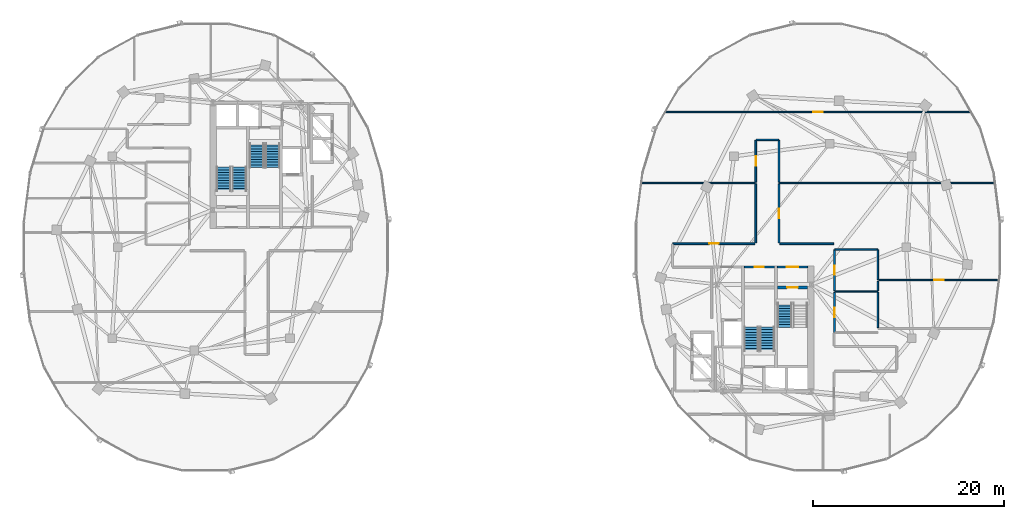
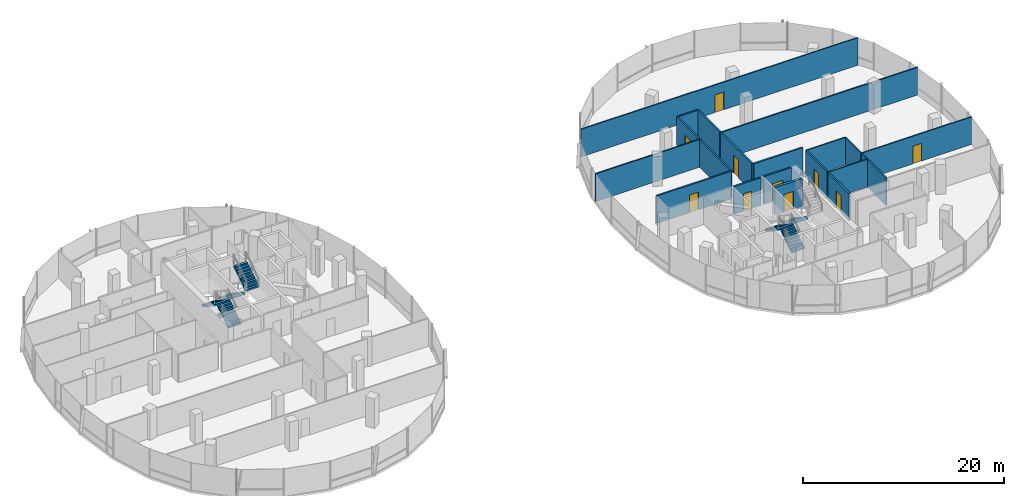
# One storey, part 15 of 23: 21 walls, 10 doors, 7 stair flights, 10 openings, 4 elements without a shape of their own.
"""IFC4 building model written with IfcOpenShell, lengths in metres."""

from ifc_helpers import new_model, si_unit, direction, frame, frame_2d, origin, place, context, subcontext, project, spatial, polyline, rectangle, outline, extrude, material, layer, layer_set, type_object, element, fill, aggregate, save


model = new_model("IFC4")

# Units and contexts
model_context = context("Model", 3, precision=1e-05, world=origin(), true_north=direction((0.0, 1.0)))
body_context = subcontext(model_context, "Body", "Model", "MODEL_VIEW")
ifc_project = project(units=[si_unit("LENGTHUNIT", "METRE"), si_unit("AREAUNIT", "SQUARE_METRE"), si_unit("VOLUMEUNIT", "CUBIC_METRE"), si_unit("PLANEANGLEUNIT", "RADIAN"), si_unit("MASSUNIT", "GRAM", prefix="KILO"), si_unit("THERMODYNAMICTEMPERATUREUNIT", "KELVIN"), si_unit("POWERUNIT", "WATT")], contexts=[model_context])

# Site, building, storey
site_placement = place(None, origin())
site = spatial("IfcSite", under=ifc_project, at=site_placement, CompositionType="ELEMENT")
building_placement = place(site_placement, origin())
building = spatial("IfcBuilding", under=site, at=building_placement, Name="Cundina Bronze Exchange", CompositionType="ELEMENT")
storey_placement = place(building_placement, frame((0.0, 0.0, 176.39990234375)))
storey = spatial("IfcBuildingStorey", under=building, at=storey_placement, Name="L46", CompositionType="ELEMENT", Elevation=176.39990234375)

# Wall, opening, door
ifc_material_1 = material(Name="Gypsum Fireboard Partition EI120")
ifc_layer_1 = layer(ifc_material_1, 0.179931640625, Name="Gypsum Fireboard Partition EI120")
ifc_layer_set_1 = layer_set([ifc_layer_1], Name="Gypsum Fireboard Partition EI120")
wall_type_1 = type_object("IfcWallType", Name="WL-COR-180", PredefinedType="PARTITIONING", material=ifc_layer_set_1)
wall_1_placement = place(storey_placement, frame((27.739990234375, -2.06005859375, 0.0), z_axis=(0.0, 0.0, 1.0), x_axis=(1.0, 0.0, 0.0)))
wall_1 = element("IfcWall", 1, at=wall_1_placement, inside=storey, type_object=wall_type_1, Name="L46 E Stair Vestibule Exit Wall", PredefinedType="PARTITIONING", context=body_context, shape_type="SweptSolid", body=[
    extrude(rectangle(XDim=3.159912109375, YDim=0.179931640625, at=frame_2d((1.580078125, 0.0))), origin(), (0.0, 0.0, 1.0), 3.360107421875),
])
opening_1_placement = place(wall_1_placement, frame((0.97998046875, 0.0, 0.0)))
opening_1 = element("IfcOpeningElement", 2, at=opening_1_placement, cuts=wall_1, Name="Opening DF-01", PredefinedType="OPENING", context=body_context, shape_type="SweptSolid", body=[
    extrude(rectangle(XDim=1.199951171875, YDim=2.14990234375, at=frame_2d((0.60009765625, 1.074951171875))), frame((0.0, 0.099853515625, 0.0), z_axis=(0.0, -1.0, 0.0), x_axis=(1.0, 0.0, 0.0)), (0.0, 0.0, 1.0), 0.199951171875),
])
ifc_material_2 = material(Name="Steel ASTM A36 Painted", Category="steel")
door_type_1 = type_object("IfcDoorType", Name="DR-FFL-1200", OperationType="NOTDEFINED", PredefinedType="DOOR", material=ifc_material_2)
door_1_placement = place(opening_1_placement, origin())
door_1 = element("IfcDoor", 3, at=door_1_placement, inside=storey, type_object=door_type_1, Name="L46 E Stair Vestibule Door", OperationType="SINGLE_SWING_RIGHT", OverallHeight=2.14990234375, OverallWidth=1.199951171875, PredefinedType="DOOR", context=body_context, shape_type="SweptSolid", body=[
    extrude(rectangle(XDim=1.199951171875, YDim=2.14990234375, at=frame_2d((0.60009765625, 1.074951171875))), frame((0.0, 0.02490234375, 0.0), z_axis=(0.0, -1.0, 0.0), x_axis=(1.0, 0.0, 0.0)), (0.0, 0.0, 1.0), 0.050048828125),
])
fill(opening_1, door_1)

wall_2_placement = place(storey_placement, frame((24.300048828125, -2.070068359375, 0.0), z_axis=(0.0, 0.0, 1.0), x_axis=(1.0, 0.0, 0.0)))
wall_2 = element("IfcWall", 4, at=wall_2_placement, inside=storey, type_object=wall_type_1, Name="L46 Interior Partition 051", PredefinedType="PARTITIONING", context=body_context, shape_type="SweptSolid", body=[
    extrude(rectangle(XDim=3.119873046875, YDim=0.179931640625, at=frame_2d((1.56005859375, 0.0))), origin(), (0.0, 0.0, 1.0), 3.360107421875),
])
opening_2_placement = place(wall_2_placement, frame((1.0849609375, 0.0, 0.0)))
opening_2 = element("IfcOpeningElement", 5, at=opening_2_placement, cuts=wall_2, Name="Opening DW-01", PredefinedType="OPENING", context=body_context, shape_type="SweptSolid", body=[
    extrude(rectangle(XDim=0.949951171875, YDim=2.10009765625, at=frame_2d((0.47509765625, 1.050048828125))), frame((0.0, 0.099853515625, 0.0), z_axis=(0.0, -1.0, 0.0), x_axis=(1.0, 0.0, 0.0)), (0.0, 0.0, 1.0), 0.199951171875),
])
ifc_material_3 = material(Name="Solid Andean Oak Timber Grade A", Category="wood")
door_type_2 = type_object("IfcDoorType", Name="DR-WC-950", OperationType="NOTDEFINED", PredefinedType="DOOR", material=ifc_material_3)
door_2_placement = place(opening_2_placement, origin())
door_2 = element("IfcDoor", 6, at=door_2_placement, inside=storey, type_object=door_type_2, Name="L46 Interior Door 051", OperationType="SINGLE_SWING_RIGHT", OverallHeight=2.10009765625, OverallWidth=0.949951171875, PredefinedType="DOOR", context=body_context, shape_type="SweptSolid", body=[
    extrude(rectangle(XDim=0.949951171875, YDim=2.10009765625, at=frame_2d((0.47509765625, 1.050048828125))), frame((0.0, 0.02490234375, 0.0), z_axis=(0.0, -1.0, 0.0), x_axis=(1.0, 0.0, 0.0)), (0.0, 0.0, 1.0), 0.050048828125),
])
fill(opening_2, door_2)

wall_3_placement = place(storey_placement, frame((33.719970703125, -4.530029296875, 0.0), z_axis=(0.0, 0.0, 1.0), x_axis=(0.0, 1.0, 0.0)))
wall_3 = element("IfcWall", 7, at=wall_3_placement, inside=storey, type_object=wall_type_1, Name="L46 Interior Partition 059", PredefinedType="PARTITIONING", context=body_context, shape_type="SweptSolid", body=[
    extrude(rectangle(XDim=4.260009765625, YDim=0.179931640625, at=frame_2d((2.1298828125, 0.0))), origin(), (0.0, 0.0, 1.0), 3.360107421875),
])
opening_3_placement = place(wall_3_placement, frame((1.655029296875, 0.0, 0.0)))
opening_3 = element("IfcOpeningElement", 8, at=opening_3_placement, cuts=wall_3, Name="Opening DW-01", PredefinedType="OPENING", context=body_context, shape_type="SweptSolid", body=[
    extrude(rectangle(XDim=0.949951171875, YDim=2.10009765625, at=frame_2d((0.47509765625, 1.050048828125))), frame((0.0, 0.099853515625, 0.0), z_axis=(0.0, -1.0, 0.0), x_axis=(1.0, 0.0, 0.0)), (0.0, 0.0, 1.0), 0.199951171875),
])
door_3_placement = place(opening_3_placement, origin())
door_3 = element("IfcDoor", 9, at=door_3_placement, inside=storey, type_object=door_type_2, Name="L46 Interior Door 059", OperationType="SINGLE_SWING_RIGHT", OverallHeight=2.10009765625, OverallWidth=0.949951171875, PredefinedType="DOOR", context=body_context, shape_type="SweptSolid", body=[
    extrude(rectangle(XDim=0.949951171875, YDim=2.10009765625, at=frame_2d((0.47509765625, 1.050048828125))), frame((0.0, 0.02490234375, 0.0), z_axis=(0.0, -1.0, 0.0), x_axis=(1.0, 0.0, 0.0)), (0.0, 0.0, 1.0), 0.050048828125),
])
fill(opening_3, door_3)

wall_4_placement = place(storey_placement, frame((33.719970703125, -8.889892578125, 0.0), z_axis=(0.0, 0.0, 1.0), x_axis=(0.0, 1.0, 0.0)))
wall_4 = element("IfcWall", 10, at=wall_4_placement, inside=storey, type_object=wall_type_1, Name="L46 Interior Partition 060", PredefinedType="PARTITIONING", context=body_context, shape_type="SweptSolid", body=[
    extrude(rectangle(XDim=4.159912109375, YDim=0.179931640625, at=frame_2d((2.080078125, 0.0))), origin(), (0.0, 0.0, 1.0), 3.360107421875),
])
opening_4_placement = place(wall_4_placement, frame((1.580078125, 0.0, 0.0)))
opening_4 = element("IfcOpeningElement", 11, at=opening_4_placement, cuts=wall_4, Name="Opening DO-01", PredefinedType="OPENING", context=body_context, shape_type="SweptSolid", body=[
    extrude(rectangle(XDim=1.0, YDim=2.14990234375, at=frame_2d((0.5, 1.074951171875))), frame((0.0, 0.099853515625, 0.0), z_axis=(0.0, -1.0, 0.0), x_axis=(1.0, 0.0, 0.0)), (0.0, 0.0, 1.0), 0.199951171875),
])
door_type_3 = type_object("IfcDoorType", Name="DR-OFF-1000", OperationType="NOTDEFINED", PredefinedType="DOOR", material=ifc_material_3)
door_4_placement = place(opening_4_placement, origin())
door_4 = element("IfcDoor", 12, at=door_4_placement, inside=storey, type_object=door_type_3, Name="L46 Interior Door 060", OperationType="SINGLE_SWING_RIGHT", OverallHeight=2.14990234375, OverallWidth=1.0, PredefinedType="DOOR", context=body_context, shape_type="SweptSolid", body=[
    extrude(rectangle(XDim=1.0, YDim=2.14990234375, at=frame_2d((0.5, 1.074951171875))), frame((0.0, 0.02490234375, 0.0), z_axis=(0.0, -1.0, 0.0), x_axis=(1.0, 0.0, 0.0)), (0.0, 0.0, 1.0), 0.050048828125),
])
fill(opening_4, door_4)

wall_5_placement = place(storey_placement, frame((25.39990234375, 0.3701171875, 0.0), z_axis=(0.0, 0.0, 1.0), x_axis=(-1.0, 0.0, 0.0)))
wall_5 = element("IfcWall", 13, at=wall_5_placement, inside=storey, type_object=wall_type_1, Name="L46 Interior Partition 075", PredefinedType="PARTITIONING", context=body_context, shape_type="SweptSolid", body=[
    extrude(rectangle(XDim=8.578369140625, YDim=0.179931640625, at=frame_2d((4.2890625, 0.0))), origin(), (0.0, 0.0, 1.0), 3.360107421875),
])
opening_5_placement = place(wall_5_placement, frame((3.789306640625, 0.0, 0.0)))
opening_5 = element("IfcOpeningElement", 14, at=opening_5_placement, cuts=wall_5, Name="Opening DO-01", PredefinedType="OPENING", context=body_context, shape_type="SweptSolid", body=[
    extrude(rectangle(XDim=1.0, YDim=2.14990234375, at=frame_2d((0.5, 1.074951171875))), frame((0.0, 0.099853515625, 0.0), z_axis=(0.0, -1.0, 0.0), x_axis=(1.0, 0.0, 0.0)), (0.0, 0.0, 1.0), 0.199951171875),
])
door_5_placement = place(opening_5_placement, origin())
door_5 = element("IfcDoor", 15, at=door_5_placement, inside=storey, type_object=door_type_3, Name="L46 Interior Door 075", OperationType="SINGLE_SWING_RIGHT", OverallHeight=2.14990234375, OverallWidth=1.0, PredefinedType="DOOR", context=body_context, shape_type="SweptSolid", body=[
    extrude(rectangle(XDim=1.0, YDim=2.14990234375, at=frame_2d((0.5, 1.074951171875))), frame((0.0, 0.02490234375, 0.0), z_axis=(0.0, -1.0, 0.0), x_axis=(1.0, 0.0, 0.0)), (0.0, 0.0, 1.0), 0.050048828125),
])
fill(opening_5, door_5)

# Wall
wall_6_placement = place(storey_placement, frame((25.47998046875, 6.6201171875, 0.0), z_axis=(0.0, 0.0, 1.0), x_axis=(0.0, -1.0, 0.0)))
element("IfcWall", 16, at=wall_6_placement, inside=storey, type_object=wall_type_1, Name="L46 Interior Partition 076", PredefinedType="PARTITIONING", context=body_context, shape_type="SweptSolid", body=[
    extrude(rectangle(XDim=6.170166015625, YDim=0.179931640625, at=frame_2d((3.0849609375, 0.0))), origin(), (0.0, 0.0, 1.0), 3.360107421875),
])

# Wall, opening, door
wall_7_placement = place(storey_placement, frame((27.919921875, 0.449951171875, 0.0), z_axis=(0.0, 0.0, 1.0), x_axis=(0.0, 1.0, 0.0)))
wall_7 = element("IfcWall", 17, at=wall_7_placement, inside=storey, type_object=wall_type_1, Name="L46 Interior Partition 080", PredefinedType="PARTITIONING", context=body_context, shape_type="SweptSolid", body=[
    extrude(rectangle(XDim=6.170166015625, YDim=0.179931640625, at=frame_2d((3.0849609375, 0.0))), origin(), (0.0, 0.0, 1.0), 3.360107421875),
])
opening_6_placement = place(wall_7_placement, frame((2.5849609375, 0.0, 0.0)))
opening_6 = element("IfcOpeningElement", 18, at=opening_6_placement, cuts=wall_7, Name="Opening DO-01", PredefinedType="OPENING", context=body_context, shape_type="SweptSolid", body=[
    extrude(rectangle(XDim=1.0, YDim=2.14990234375, at=frame_2d((0.5, 1.074951171875))), frame((0.0, 0.099853515625, 0.0), z_axis=(0.0, -1.0, 0.0), x_axis=(1.0, 0.0, 0.0)), (0.0, 0.0, 1.0), 0.199951171875),
])
door_6_placement = place(opening_6_placement, origin())
door_6 = element("IfcDoor", 19, at=door_6_placement, inside=storey, type_object=door_type_3, Name="L46 Interior Door 080", OperationType="SINGLE_SWING_LEFT", OverallHeight=2.14990234375, OverallWidth=1.0, PredefinedType="DOOR", context=body_context, shape_type="SweptSolid", body=[
    extrude(rectangle(XDim=1.0, YDim=2.14990234375, at=frame_2d((0.5, 1.074951171875))), frame((0.0, 0.02490234375, 0.0), z_axis=(0.0, -1.0, 0.0), x_axis=(1.0, 0.0, 0.0)), (0.0, 0.0, 1.0), 0.050048828125),
])
fill(opening_6, door_6)

# Wall
wall_8_placement = place(storey_placement, frame((33.62841796875, 0.3701171875, 0.0), z_axis=(0.0, 0.0, 1.0), x_axis=(-1.0, 0.0, 0.0)))
element("IfcWall", 20, at=wall_8_placement, inside=storey, type_object=wall_type_1, Name="L46 Interior Partition 081", PredefinedType="PARTITIONING", context=body_context, shape_type="SweptSolid", body=[
    extrude(rectangle(XDim=5.62841796875, YDim=0.179931640625, at=frame_2d((2.814208984375, 0.0))), origin(), (0.0, 0.0, 1.0), 3.360107421875),
])

# Wall, opening, door
wall_9_placement = place(storey_placement, frame((25.47998046875, 11.178466796875, 0.0), z_axis=(0.0, 0.0, 1.0), x_axis=(0.0, -1.0, 0.0)))
wall_9 = element("IfcWall", 21, at=wall_9_placement, inside=storey, type_object=wall_type_1, Name="L46 Interior Partition 082", PredefinedType="PARTITIONING", context=body_context, shape_type="SweptSolid", body=[
    extrude(rectangle(XDim=4.37841796875, YDim=0.179931640625, at=frame_2d((2.189208984375, 0.0))), origin(), (0.0, 0.0, 1.0), 3.360107421875),
])
opening_7_placement = place(wall_9_placement, frame((1.689208984375, 0.0, 0.0)))
opening_7 = element("IfcOpeningElement", 22, at=opening_7_placement, cuts=wall_9, Name="Opening DO-01", PredefinedType="OPENING", context=body_context, shape_type="SweptSolid", body=[
    extrude(rectangle(XDim=1.0, YDim=2.14990234375, at=frame_2d((0.5, 1.074951171875))), frame((0.0, 0.099853515625, 0.0), z_axis=(0.0, -1.0, 0.0), x_axis=(1.0, 0.0, 0.0)), (0.0, 0.0, 1.0), 0.199951171875),
])
door_7_placement = place(opening_7_placement, origin())
door_7 = element("IfcDoor", 23, at=door_7_placement, inside=storey, type_object=door_type_3, Name="L46 Interior Door 082", OperationType="SINGLE_SWING_LEFT", OverallHeight=2.14990234375, OverallWidth=1.0, PredefinedType="DOOR", context=body_context, shape_type="SweptSolid", body=[
    extrude(rectangle(XDim=1.0, YDim=2.14990234375, at=frame_2d((0.5, 1.074951171875))), frame((0.0, 0.02490234375, 0.0), z_axis=(0.0, -1.0, 0.0), x_axis=(1.0, 0.0, 0.0)), (0.0, 0.0, 1.0), 0.050048828125),
])
fill(opening_7, door_7)

# Walls
wall_10_placement = place(storey_placement, frame((27.919921875, 6.800048828125, 0.0), z_axis=(0.0, 0.0, 1.0), x_axis=(0.0, 1.0, 0.0)))
element("IfcWall", 24, at=wall_10_placement, inside=storey, type_object=wall_type_1, Name="L46 Interior Partition 083", PredefinedType="PARTITIONING", context=body_context, shape_type="SweptSolid", body=[
    extrude(rectangle(XDim=4.37841796875, YDim=0.179931640625, at=frame_2d((2.189208984375, 0.0))), origin(), (0.0, 0.0, 1.0), 3.360107421875),
])
wall_11_placement = place(storey_placement, frame((27.87841796875, 11.219970703125, 0.0), z_axis=(0.0, 0.0, 1.0), x_axis=(-1.0, 0.0, 0.0)))
element("IfcWall", 25, at=wall_11_placement, inside=storey, type_object=wall_type_1, Name="L46 Interior Partition 084", PredefinedType="PARTITIONING", context=body_context, shape_type="SweptSolid", body=[
    extrude(rectangle(XDim=2.35693359375, YDim=0.179931640625, at=frame_2d((1.178466796875, 0.0))), origin(), (0.0, 0.0, 1.0), 3.360107421875),
])

# Wall, opening, door
ifc_material_4 = material(Name="Gypsum Acoustic Partition EI60")
ifc_layer_2 = layer(ifc_material_4, 0.125, Name="Gypsum Acoustic Partition EI60")
ifc_layer_set_2 = layer_set([ifc_layer_2], Name="Gypsum Acoustic Partition EI60")
wall_type_2 = type_object("IfcWallType", Name="WL-OFF-125", PredefinedType="PARTITIONING", material=ifc_layer_set_2)
wall_12_placement = place(storey_placement, frame((38.320068359375, -3.429931640625, 0.0), z_axis=(0.0, 0.0, 1.0), x_axis=(1.0, 0.0, 0.0)))
wall_12 = element("IfcWall", 26, at=wall_12_placement, inside=storey, type_object=wall_type_2, Name="L46 Interior Partition 085", PredefinedType="PARTITIONING", context=body_context, shape_type="SweptSolid", body=[
    extrude(rectangle(XDim=12.58544921875, YDim=0.125, at=frame_2d((6.292724609375, 0.0))), origin(), (0.0, 0.0, 1.0), 3.360107421875),
])
opening_8_placement = place(wall_12_placement, frame((5.792724609375, 0.0, 0.0)))
opening_8 = element("IfcOpeningElement", 27, at=opening_8_placement, cuts=wall_12, Name="Opening DO-01", PredefinedType="OPENING", context=body_context, shape_type="SweptSolid", body=[
    extrude(rectangle(XDim=1.0, YDim=2.14990234375, at=frame_2d((0.5, 1.074951171875))), frame((0.0, 0.072509765625, 0.0), z_axis=(0.0, -1.0, 0.0), x_axis=(1.0, 0.0, 0.0)), (0.0, 0.0, 1.0), 0.14501953125),
])
door_8_placement = place(opening_8_placement, origin())
door_8 = element("IfcDoor", 28, at=door_8_placement, inside=storey, type_object=door_type_3, Name="L46 Interior Door 085", OperationType="SINGLE_SWING_LEFT", OverallHeight=2.14990234375, OverallWidth=1.0, PredefinedType="DOOR", context=body_context, shape_type="SweptSolid", body=[
    extrude(rectangle(XDim=1.0, YDim=2.14990234375, at=frame_2d((0.5, 1.074951171875))), frame((0.0, 0.02490234375, 0.0), z_axis=(0.0, -1.0, 0.0), x_axis=(1.0, 0.0, 0.0)), (0.0, 0.0, 1.0), 0.050048828125),
])
fill(opening_8, door_8)

wall_13_placement = place(storey_placement, frame((47.929931640625, 14.139892578125, 0.0), z_axis=(0.0, 0.0, 1.0), x_axis=(-1.0, 0.0, 0.0)))
wall_13 = element("IfcWall", 29, at=wall_13_placement, inside=storey, type_object=wall_type_2, Name="L46 Interior Partition 086", PredefinedType="PARTITIONING", context=body_context, shape_type="SweptSolid", body=[
    extrude(rectangle(XDim=31.85986328125, YDim=0.125, at=frame_2d((15.929931640625, 0.0))), origin(), (0.0, 0.0, 1.0), 3.360107421875),
])
opening_9_placement = place(wall_13_placement, frame((15.429931640625, 0.0, 0.0)))
opening_9 = element("IfcOpeningElement", 30, at=opening_9_placement, cuts=wall_13, Name="Opening DO-01", PredefinedType="OPENING", context=body_context, shape_type="SweptSolid", body=[
    extrude(rectangle(XDim=1.0, YDim=2.14990234375, at=frame_2d((0.5, 1.074951171875))), frame((0.0, 0.072509765625, 0.0), z_axis=(0.0, -1.0, 0.0), x_axis=(1.0, 0.0, 0.0)), (0.0, 0.0, 1.0), 0.14501953125),
])
door_9_placement = place(opening_9_placement, origin())
door_9 = element("IfcDoor", 31, at=door_9_placement, inside=storey, type_object=door_type_3, Name="L46 Interior Door 086", OperationType="SINGLE_SWING_LEFT", OverallHeight=2.14990234375, OverallWidth=1.0, PredefinedType="DOOR", context=body_context, shape_type="SweptSolid", body=[
    extrude(rectangle(XDim=1.0, YDim=2.14990234375, at=frame_2d((0.5, 1.074951171875))), frame((0.0, 0.02490234375, 0.0), z_axis=(0.0, -1.0, 0.0), x_axis=(1.0, 0.0, 0.0)), (0.0, 0.0, 1.0), 0.050048828125),
])
fill(opening_9, door_9)

ifc_material_5 = material(Name="Concrete C50/60", Category="concrete")
ifc_layer_3 = layer(ifc_material_5, 0.300048828125, Name="Concrete C50/60", Category="concrete")
ifc_layer_set_3 = layer_set([ifc_layer_3], Name="Concrete C50/60")
wall_type_3 = type_object("IfcWallType", Name="WL-SHFT-300", PredefinedType="SHEAR", material=ifc_layer_set_3)
wall_14_placement = place(storey_placement, frame((27.739990234375, -4.199951171875, 0.0), z_axis=(0.0, 0.0, 1.0), x_axis=(1.0, 0.0, 0.0)))
wall_14 = element("IfcWall", 32, at=wall_14_placement, inside=storey, type_object=wall_type_3, Name="L46 Stair E1 Landing Wall", PredefinedType="SHEAR", context=body_context, shape_type="SweptSolid", body=[
    extrude(rectangle(XDim=3.159912109375, YDim=0.300048828125, at=frame_2d((1.580078125, 0.0))), origin(), (0.0, 0.0, 1.0), 3.360107421875),
])
opening_10_placement = place(wall_14_placement, frame((1.030029296875, 0.0, 0.0)))
opening_10 = element("IfcOpeningElement", 33, at=opening_10_placement, cuts=wall_14, Name="Opening DS-01", PredefinedType="OPENING", context=body_context, shape_type="SweptSolid", body=[
    extrude(rectangle(XDim=1.10009765625, YDim=2.14990234375, at=frame_2d((0.550048828125, 1.074951171875))), frame((0.0, 0.159912109375, 0.0), z_axis=(0.0, -1.0, 0.0), x_axis=(1.0, 0.0, 0.0)), (0.0, 0.0, 1.0), 0.320068359375),
])
door_type_4 = type_object("IfcDoorType", Name="DR-STR-1100", OperationType="NOTDEFINED", PredefinedType="DOOR", material=ifc_material_2)
door_10_placement = place(opening_10_placement, origin())
door_10 = element("IfcDoor", 34, at=door_10_placement, inside=storey, type_object=door_type_4, Name="L46 Smokeproof Stair E1 Door", OperationType="SINGLE_SWING_LEFT", OverallHeight=2.14990234375, OverallWidth=1.10009765625, PredefinedType="DOOR", context=body_context, shape_type="SweptSolid", body=[
    extrude(rectangle(XDim=1.10009765625, YDim=2.14990234375, at=frame_2d((0.550048828125, 1.074951171875))), frame((0.0, 0.02490234375, 0.0), z_axis=(0.0, -1.0, 0.0), x_axis=(1.0, 0.0, 0.0)), (0.0, 0.0, 1.0), 0.050048828125),
])
fill(opening_10, door_10)

# Walls
ifc_layer_4 = layer(ifc_material_4, 0.14990234375, Name="Gypsum Acoustic Partition EI60")
ifc_layer_set_4 = layer_set([ifc_layer_4], Name="Gypsum Acoustic Partition EI60")
wall_type_4 = type_object("IfcWallType", Name="WL-TEN-150", PredefinedType="PARTITIONING", material=ifc_layer_set_4)
wall_15_placement = place(storey_placement, frame((13.447021484375, 6.7099609375, 0.0), z_axis=(0.0, 0.0, 1.0), x_axis=(1.0, 0.0, 0.0)))
element("IfcWall", 35, at=wall_15_placement, inside=storey, type_object=wall_type_4, Name="L46 Interior Partition 061", PredefinedType="PARTITIONING", context=body_context, shape_type="SweptSolid", body=[
    extrude(rectangle(XDim=12.0029296875, YDim=0.14990234375, at=frame_2d((6.00146484375, 0.0))), origin(), (0.0, 0.0, 1.0), 3.360107421875),
])
wall_16_placement = place(storey_placement, frame((27.949951171875, 6.7099609375, 0.0), z_axis=(0.0, 0.0, 1.0), x_axis=(1.0, 0.0, 0.0)))
element("IfcWall", 36, at=wall_16_placement, inside=storey, type_object=wall_type_4, Name="L46 Interior Partition 062", PredefinedType="PARTITIONING", context=body_context, shape_type="SweptSolid", body=[
    extrude(rectangle(XDim=22.60302734375, YDim=0.14990234375, at=frame_2d((11.301513671875, 0.0))), origin(), (0.0, 0.0, 1.0), 3.360107421875),
])
ifc_material_6 = material(Name="Moisture-Resistant Masonry Block Grade M15", Category="masonry")
ifc_layer_5 = layer(ifc_material_6, 0.139892578125, Name="Moisture-Resistant Masonry Block Grade M15", Category="masonry")
ifc_layer_set_5 = layer_set([ifc_layer_5], Name="Moisture-Resistant Masonry Block Grade M15")
wall_type_5 = type_object("IfcWallType", Name="WL-WET-140", PredefinedType="PARTITIONING", material=ifc_layer_set_5)
wall_17_placement = place(storey_placement, frame((38.239990234375, -8.39501953125, 0.0), z_axis=(0.0, 0.0, 1.0), x_axis=(0.0, 1.0, 0.0)))
element("IfcWall", 37, at=wall_17_placement, inside=storey, type_object=wall_type_5, Name="L46 Interior Partition 053", PredefinedType="PARTITIONING", context=body_context, shape_type="SweptSolid", body=[
    extrude(rectangle(XDim=3.679931640625, YDim=0.139892578125, at=frame_2d((1.83984375, 0.0))), origin(), (0.0, 0.0, 1.0), 3.360107421875),
])
wall_18_placement = place(storey_placement, frame((38.239990234375, -4.544921875, 0.0), z_axis=(0.0, 0.0, 1.0), x_axis=(0.0, 1.0, 0.0)))
element("IfcWall", 38, at=wall_18_placement, inside=storey, type_object=wall_type_5, Name="L46 Interior Partition 054", PredefinedType="PARTITIONING", context=body_context, shape_type="SweptSolid", body=[
    extrude(rectangle(XDim=0.97998046875, YDim=0.139892578125, at=frame_2d((0.489990234375, 0.0))), origin(), (0.0, 0.0, 1.0), 3.360107421875),
])
wall_19_placement = place(storey_placement, frame((38.239990234375, -3.39501953125, 0.0), z_axis=(0.0, 0.0, 1.0), x_axis=(0.0, 1.0, 0.0)))
element("IfcWall", 39, at=wall_19_placement, inside=storey, type_object=wall_type_5, Name="L46 Interior Partition 055", PredefinedType="PARTITIONING", context=body_context, shape_type="SweptSolid", body=[
    extrude(rectangle(XDim=3.125, YDim=0.139892578125, at=frame_2d((1.5625, 0.0))), origin(), (0.0, 0.0, 1.0), 3.360107421875),
])
for number, where, z_axis, x_axis, name in (
    (40, (33.739990234375, -0.25, 0.0), (0.0, 0.0, 1.0), (1.0, 0.0, 0.0), "L46 Interior Partition 056"),
    (41, (33.739990234375, -4.6298828125, 0.0), (0.0, 0.0, 1.0), (1.0, 0.0, 0.0), "L46 Interior Partition 057"),
):
    element("IfcWall", number, at=place(storey_placement, frame(where, z_axis=z_axis, x_axis=x_axis)), inside=storey, type_object=wall_type_5, Name=name, PredefinedType="PARTITIONING", context=body_context, shape_type="SweptSolid", body=[
        extrude(rectangle(XDim=4.47998046875, YDim=0.139892578125, at=frame_2d((2.239990234375, 0.0))), origin(), (0.0, 0.0, 1.0), 3.360107421875),
    ])

# Stair, stair flights
ifc_material_7 = material(Name="Concrete C40/50", Category="concrete")
stair_type = type_object("IfcStairType", Name="STR-OFF-360", PredefinedType="HALF_TURN_STAIR", material=ifc_material_7)
stair_1_placement = place(storey_placement, origin())
stair_1 = element("IfcStair", 42, at=stair_1_placement, inside=storey, type_object=stair_type, Name="L46 Smokeproof Exit Stair W1", PredefinedType="HALF_TURN_STAIR")
stair_flight_type = type_object("IfcStairFlightType", Name="FLG-OFF-180", PredefinedType="STRAIGHT", material=ifc_material_7)
stair_flight_1_placement = place(storey_placement, frame((-28.489990234375, 5.85009765625, 0.0), z_axis=(0.0, 0.0, 1.0), x_axis=(0.0, 1.0, 0.0)))
stair_flight_1 = element("IfcStairFlight", 43, at=stair_flight_1_placement, type_object=stair_flight_type, Name="ST-W1 flight 1", NumberOfRisers=10, NumberOfTreads=9, PredefinedType="STRAIGHT", RiserHeight=0.18, TreadLength=0.28, context=body_context, shape_type="SweptSolid", body=[
    extrude(outline(polyline([(0.0, 0.0), (0.0, 0.179931640625), (0.280029296875, 0.179931640625), (0.280029296875, 0.360107421875), (0.56005859375, 0.360107421875), (0.56005859375, 0.5400390625), (0.840087890625, 0.5400390625), (0.840087890625, 0.719970703125), (1.1201171875, 0.719970703125), (1.1201171875, 0.89990234375), (1.39990234375, 0.89990234375), (1.39990234375, 1.080078125), (1.679931640625, 1.080078125), (1.679931640625, 1.260009765625), (1.9599609375, 1.260009765625), (1.9599609375, 1.43994140625), (2.239990234375, 1.43994140625), (2.239990234375, 1.6201171875), (2.52001953125, 1.6201171875), (2.52001953125, 1.800048828125), (2.52001953125, 1.44189453125), (0.277099609375, 0.0), (0.0, 0.0)])), frame((0.0, 0.75, 0.0), z_axis=(0.0, -1.0, 0.0), x_axis=(1.0, 0.0, 0.0)), (0.0, 0.0, 1.0), 1.5),
])
stair_flight_2_placement = place(storey_placement, frame((-30.14990234375, 8.3701171875, 1.800048828125), z_axis=(0.0, 0.0, 1.0), x_axis=(0.0, -1.0, 0.0)))
stair_flight_2 = element("IfcStairFlight", 44, at=stair_flight_2_placement, type_object=stair_flight_type, Name="ST-W1 flight 2", NumberOfRisers=10, NumberOfTreads=9, PredefinedType="STRAIGHT", RiserHeight=0.18, TreadLength=0.28, context=body_context, shape_type="SweptSolid", body=[
    extrude(outline(polyline([(0.0, 0.0), (0.0, 0.179931640625), (0.280029296875, 0.179931640625), (0.280029296875, 0.360107421875), (0.56005859375, 0.360107421875), (0.56005859375, 0.5400390625), (0.840087890625, 0.5400390625), (0.840087890625, 0.719970703125), (1.1201171875, 0.719970703125), (1.1201171875, 0.89990234375), (1.39990234375, 0.89990234375), (1.39990234375, 1.080078125), (1.679931640625, 1.080078125), (1.679931640625, 1.260009765625), (1.9599609375, 1.260009765625), (1.9599609375, 1.43994140625), (2.239990234375, 1.43994140625), (2.239990234375, 1.6201171875), (2.52001953125, 1.6201171875), (2.52001953125, 1.800048828125), (2.52001953125, 1.44189453125), (0.277099609375, 0.0), (0.0, 0.0)])), frame((0.0, 0.75, 0.0), z_axis=(0.0, -1.0, 0.0), x_axis=(1.0, 0.0, 0.0)), (0.0, 0.0, 1.0), 1.5),
])
aggregate(stair_1, [stair_flight_1, stair_flight_2])

stair_2_placement = place(storey_placement, origin())
stair_2 = element("IfcStair", 45, at=stair_2_placement, inside=storey, type_object=stair_type, Name="L46 Smokeproof Exit Stair W2", PredefinedType="HALF_TURN_STAIR")
stair_flight_3_placement = place(storey_placement, frame((-26.68994140625, 10.85009765625, 0.0), z_axis=(0.0, 0.0, 1.0), x_axis=(0.0, -1.0, 0.0)))
stair_flight_3 = element("IfcStairFlight", 46, at=stair_flight_3_placement, type_object=stair_flight_type, Name="ST-W2 flight 1", NumberOfRisers=10, NumberOfTreads=9, PredefinedType="STRAIGHT", RiserHeight=0.18, TreadLength=0.28, context=body_context, shape_type="SweptSolid", body=[
    extrude(outline(polyline([(0.0, 0.0), (0.0, 0.179931640625), (0.280029296875, 0.179931640625), (0.280029296875, 0.360107421875), (0.56005859375, 0.360107421875), (0.56005859375, 0.5400390625), (0.840087890625, 0.5400390625), (0.840087890625, 0.719970703125), (1.1201171875, 0.719970703125), (1.1201171875, 0.89990234375), (1.39990234375, 0.89990234375), (1.39990234375, 1.080078125), (1.679931640625, 1.080078125), (1.679931640625, 1.260009765625), (1.9599609375, 1.260009765625), (1.9599609375, 1.43994140625), (2.239990234375, 1.43994140625), (2.239990234375, 1.6201171875), (2.52001953125, 1.6201171875), (2.52001953125, 1.800048828125), (2.52001953125, 1.44189453125), (0.277099609375, 0.0), (0.0, 0.0)])), frame((0.0, 0.75, 0.0), z_axis=(0.0, -1.0, 0.0), x_axis=(1.0, 0.0, 0.0)), (0.0, 0.0, 1.0), 1.5),
])
stair_flight_4_placement = place(storey_placement, frame((-25.030029296875, 8.330078125, 1.800048828125), z_axis=(0.0, 0.0, 1.0), x_axis=(0.0, 1.0, 0.0)))
stair_flight_4 = element("IfcStairFlight", 47, at=stair_flight_4_placement, type_object=stair_flight_type, Name="ST-W2 flight 2", NumberOfRisers=10, NumberOfTreads=9, PredefinedType="STRAIGHT", RiserHeight=0.18, TreadLength=0.28, context=body_context, shape_type="SweptSolid", body=[
    extrude(outline(polyline([(0.0, 0.0), (0.0, 0.179931640625), (0.280029296875, 0.179931640625), (0.280029296875, 0.360107421875), (0.56005859375, 0.360107421875), (0.56005859375, 0.5400390625), (0.840087890625, 0.5400390625), (0.840087890625, 0.719970703125), (1.1201171875, 0.719970703125), (1.1201171875, 0.89990234375), (1.39990234375, 0.89990234375), (1.39990234375, 1.080078125), (1.679931640625, 1.080078125), (1.679931640625, 1.260009765625), (1.9599609375, 1.260009765625), (1.9599609375, 1.43994140625), (2.239990234375, 1.43994140625), (2.239990234375, 1.6201171875), (2.52001953125, 1.6201171875), (2.52001953125, 1.800048828125), (2.52001953125, 1.44189453125), (0.277099609375, 0.0), (0.0, 0.0)])), frame((0.0, 0.75, 0.0), z_axis=(0.0, -1.0, 0.0), x_axis=(1.0, 0.0, 0.0)), (0.0, 0.0, 1.0), 1.5),
])
aggregate(stair_2, [stair_flight_3, stair_flight_4])

# Stair, stair flight
stair_3_placement = place(storey_placement, origin())
stair_3 = element("IfcStair", 48, at=stair_3_placement, inside=storey, type_object=stair_type, Name="L46 Smokeproof Exit Stair E1", PredefinedType="HALF_TURN_STAIR")
stair_flight_5_placement = place(storey_placement, frame((28.489990234375, -5.85009765625, 0.0), z_axis=(0.0, 0.0, 1.0), x_axis=(0.0, -1.0, 0.0)))
stair_flight_5 = element("IfcStairFlight", 49, at=stair_flight_5_placement, type_object=stair_flight_type, Name="ST-E1 flight 1", NumberOfRisers=10, NumberOfTreads=9, PredefinedType="STRAIGHT", RiserHeight=0.18, TreadLength=0.28, context=body_context, shape_type="SweptSolid", body=[
    extrude(outline(polyline([(0.0, 0.0), (0.0, 0.179931640625), (0.280029296875, 0.179931640625), (0.280029296875, 0.360107421875), (0.56005859375, 0.360107421875), (0.56005859375, 0.5400390625), (0.840087890625, 0.5400390625), (0.840087890625, 0.719970703125), (1.1201171875, 0.719970703125), (1.1201171875, 0.89990234375), (1.39990234375, 0.89990234375), (1.39990234375, 1.080078125), (1.679931640625, 1.080078125), (1.679931640625, 1.260009765625), (1.9599609375, 1.260009765625), (1.9599609375, 1.43994140625), (2.239990234375, 1.43994140625), (2.239990234375, 1.6201171875), (2.52001953125, 1.6201171875), (2.52001953125, 1.800048828125), (2.52001953125, 1.44189453125), (0.277099609375, 0.0), (0.0, 0.0)])), frame((0.0, 0.75, 0.0), z_axis=(0.0, -1.0, 0.0), x_axis=(1.0, 0.0, 0.0)), (0.0, 0.0, 1.0), 1.5),
])
aggregate(stair_3, [stair_flight_5])

# Stair, stair flights
stair_4_placement = place(storey_placement, origin())
stair_4 = element("IfcStair", 50, at=stair_4_placement, inside=storey, type_object=stair_type, Name="L46 Smokeproof Exit Stair E2", PredefinedType="HALF_TURN_STAIR")
stair_flight_6_placement = place(storey_placement, frame((26.68994140625, -10.85009765625, 0.0), z_axis=(0.0, 0.0, 1.0), x_axis=(0.0, 1.0, 0.0)))
stair_flight_6 = element("IfcStairFlight", 51, at=stair_flight_6_placement, type_object=stair_flight_type, Name="ST-E2 flight 1", NumberOfRisers=10, NumberOfTreads=9, PredefinedType="STRAIGHT", RiserHeight=0.18, TreadLength=0.28, context=body_context, shape_type="SweptSolid", body=[
    extrude(outline(polyline([(0.0, 0.0), (0.0, 0.179931640625), (0.280029296875, 0.179931640625), (0.280029296875, 0.360107421875), (0.56005859375, 0.360107421875), (0.56005859375, 0.5400390625), (0.840087890625, 0.5400390625), (0.840087890625, 0.719970703125), (1.1201171875, 0.719970703125), (1.1201171875, 0.89990234375), (1.39990234375, 0.89990234375), (1.39990234375, 1.080078125), (1.679931640625, 1.080078125), (1.679931640625, 1.260009765625), (1.9599609375, 1.260009765625), (1.9599609375, 1.43994140625), (2.239990234375, 1.43994140625), (2.239990234375, 1.6201171875), (2.52001953125, 1.6201171875), (2.52001953125, 1.800048828125), (2.52001953125, 1.44189453125), (0.277099609375, 0.0), (0.0, 0.0)])), frame((0.0, 0.75, 0.0), z_axis=(0.0, -1.0, 0.0), x_axis=(1.0, 0.0, 0.0)), (0.0, 0.0, 1.0), 1.5),
])
stair_flight_7_placement = place(storey_placement, frame((25.030029296875, -8.330078125, 1.800048828125), z_axis=(0.0, 0.0, 1.0), x_axis=(0.0, -1.0, 0.0)))
stair_flight_7 = element("IfcStairFlight", 52, at=stair_flight_7_placement, type_object=stair_flight_type, Name="ST-E2 flight 2", NumberOfRisers=10, NumberOfTreads=9, PredefinedType="STRAIGHT", RiserHeight=0.18, TreadLength=0.28, context=body_context, shape_type="SweptSolid", body=[
    extrude(outline(polyline([(0.0, 0.0), (0.0, 0.179931640625), (0.280029296875, 0.179931640625), (0.280029296875, 0.360107421875), (0.56005859375, 0.360107421875), (0.56005859375, 0.5400390625), (0.840087890625, 0.5400390625), (0.840087890625, 0.719970703125), (1.1201171875, 0.719970703125), (1.1201171875, 0.89990234375), (1.39990234375, 0.89990234375), (1.39990234375, 1.080078125), (1.679931640625, 1.080078125), (1.679931640625, 1.260009765625), (1.9599609375, 1.260009765625), (1.9599609375, 1.43994140625), (2.239990234375, 1.43994140625), (2.239990234375, 1.6201171875), (2.52001953125, 1.6201171875), (2.52001953125, 1.800048828125), (2.52001953125, 1.44189453125), (0.277099609375, 0.0), (0.0, 0.0)])), frame((0.0, 0.75, 0.0), z_axis=(0.0, -1.0, 0.0), x_axis=(1.0, 0.0, 0.0)), (0.0, 0.0, 1.0), 1.5),
])
aggregate(stair_4, [stair_flight_6, stair_flight_7])

save(model, "model.ifc")
